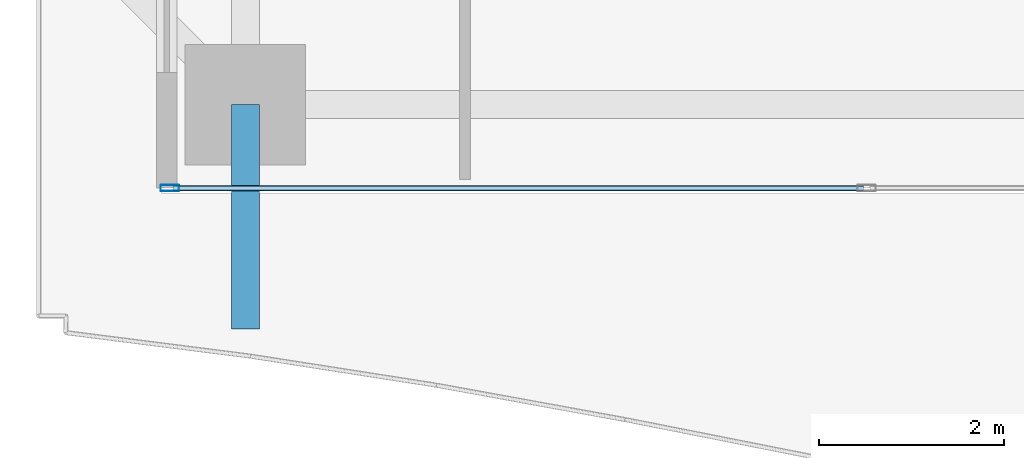
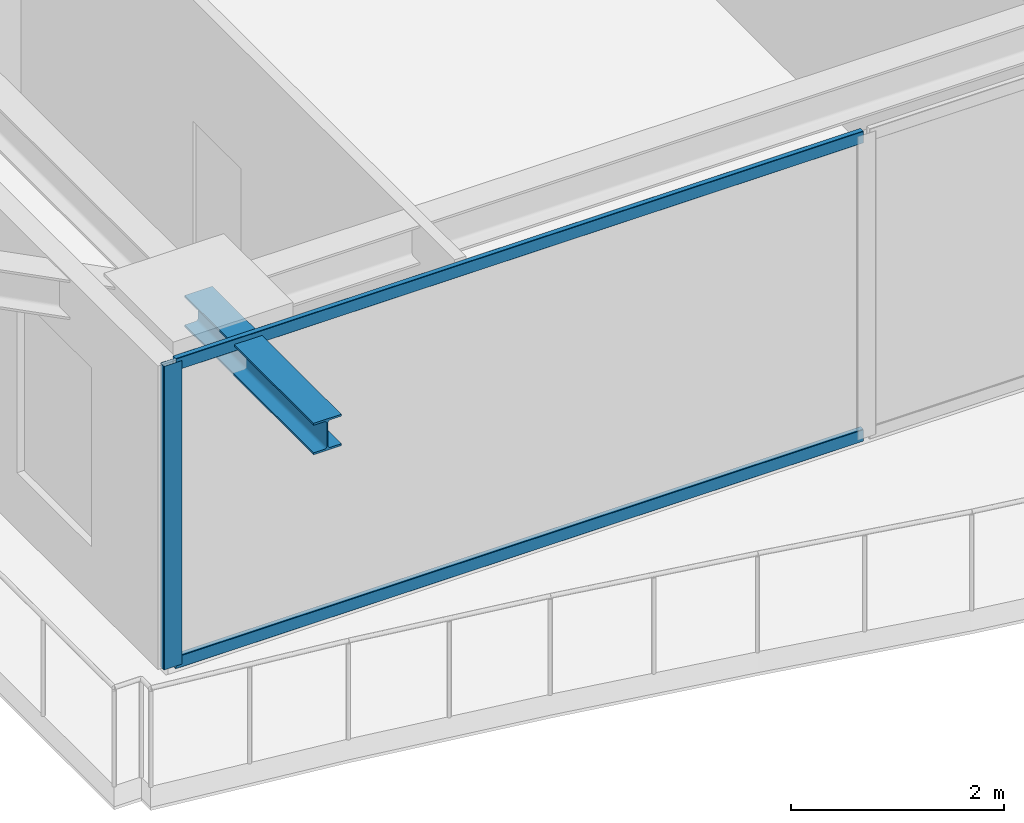
# One storey, part 2 of 35: 3 members, 1 beam, 1 element without a shape of its own.
"""IFC4 building model written with IfcOpenShell, lengths in metres."""

from ifc_helpers import new_model, si_unit, direction, frame, origin, origin_2d, place, context, subcontext, project, spatial, hollow_rectangle, i_section, extrude, source, transform, mapped, material, layer, layer_set, material_profile, profile_set, type_object, element, aggregate, save


model = new_model("IFC4")

# Units and contexts
model_context = context("Model", 3, precision=1e-05, world=origin(), true_north=direction((0.0, 1.0)))
body_context = subcontext(model_context, "Body", "Model", "MODEL_VIEW")
ifc_project = project(units=[si_unit("LENGTHUNIT", "METRE"), si_unit("AREAUNIT", "SQUARE_METRE"), si_unit("VOLUMEUNIT", "CUBIC_METRE"), si_unit("PLANEANGLEUNIT", "RADIAN"), si_unit("MASSUNIT", "GRAM", prefix="KILO")], contexts=[model_context])

# Site, building, storey
site_placement = place(None, origin())
site = spatial("IfcSite", under=ifc_project, at=site_placement, CompositionType="ELEMENT")
building_placement = place(site_placement, origin())
building = spatial("IfcBuilding", under=site, at=building_placement, Name="Serunith Strait Residences", CompositionType="ELEMENT")
storey_placement = place(building_placement, frame((0.0, 0.0, 172.64990234375)))
storey = spatial("IfcBuildingStorey", under=building, at=storey_placement, Name="L43", CompositionType="ELEMENT", Elevation=172.64990234375)

# Beam
ifc_material_1 = material(Name="Steel S355J2", Category="steel")
ifc_material_profile_1 = material_profile(ifc_material_1, i_section(OverallWidth=0.300048828125, OverallDepth=0.360107421875, WebThickness=0.012451171875, FlangeThickness=0.0224609375, FilletRadius=0.027099609375, at=origin_2d()), Name="HEB 360")
ifc_profile_set_1 = profile_set([ifc_material_profile_1], Name="Steel S355J2")
beam_type = type_object("IfcBeamType", Name="BM-HEB360", PredefinedType="BEAM", material=ifc_profile_set_1)
shared_shape_1 = source(origin(), body_context, "Body", "SweptSolid", [
    extrude(i_section(OverallWidth=0.300048828125, OverallDepth=0.360107421875, WebThickness=0.012451171875, FlangeThickness=0.0224609375, FilletRadius=0.027099609375, at=origin_2d()), origin(), (0.0, 0.0, 1.0), 2.41943359375),
])
beam_placement = place(storey_placement, frame((16.64990234375, 2.300048828125, 3.277099609375), z_axis=(0.0, -1.0, 0.0), x_axis=(1.0, 0.0, 0.0)))
element("IfcBeam", 1, at=beam_placement, inside=storey, type_object=beam_type, Name="L44 Cantilevered Balcony Rib TC-S1", PredefinedType="BEAM", context=body_context, shape_type="MappedRepresentation", body=[
    mapped(shared_shape_1, transform((0.0, 0.0, 0.0), scale=1.0)),
])

# Curtain wall, members
ifc_material_2 = material(Name="Pale-Champagne Anodised Aluminium", Category="aluminium")
ifc_layer = layer(ifc_material_2, 0.199951171875, Name="Pale-Champagne Anodised Aluminium")
ifc_layer_set = layer_set([ifc_layer], Name="Pale-Champagne Anodised Aluminium")
curtain_wall_type = type_object("IfcCurtainWallType", Name="CW-SYS2", PredefinedType="NOTDEFINED", material=ifc_layer_set)
curtain_wall_placement = place(storey_placement, origin())
curtain_wall = element("IfcCurtainWall", 2, at=curtain_wall_placement, inside=storey, type_object=curtain_wall_type, Name="L43 S Unitised Fritted Curtain Wall", PredefinedType="NOTDEFINED")
ifc_material_profile_2 = material_profile(ifc_material_2, hollow_rectangle(XDim=0.070068359375, YDim=0.199951171875, WallThickness=0.00390625, InnerFilletRadius=0.006103515625, OuterFilletRadius=0.010009765625, at=origin_2d()), Name="ALU 200x70x4")
ifc_profile_set_2 = profile_set([ifc_material_profile_2], Name="Pale-Champagne Anodised Aluminium")
member_type_1 = type_object("IfcMemberType", Name="CW-SYS2-MULL", PredefinedType="MULLION", material=ifc_profile_set_2)
shared_shape_2 = source(origin(), body_context, "Body", "SweptSolid", [
    extrude(hollow_rectangle(XDim=0.070068359375, YDim=0.199951171875, WallThickness=0.00390625, InnerFilletRadius=0.006103515625, OuterFilletRadius=0.010009765625, at=origin_2d()), origin(), (0.0, 0.0, 1.0), 3.47509765625),
])
member_1_placement = place(storey_placement, frame((15.8349609375, 1.39990234375, 0.0), z_axis=(0.0, 0.0, 1.0), x_axis=(0.0, 1.0, 0.0)))
member_1 = element("IfcMember", 3, at=member_1_placement, type_object=member_type_1, Name="CW-2 mullion 1", PredefinedType="MULLION", context=body_context, shape_type="MappedRepresentation", body=[
    mapped(shared_shape_2, transform((0.0, 0.0, 0.0), scale=1.0)),
])
ifc_material_profile_3 = material_profile(ifc_material_2, hollow_rectangle(XDim=0.06005859375, YDim=0.139892578125, WallThickness=0.00341796875, InnerFilletRadius=0.00537109375, OuterFilletRadius=0.0087890625, at=origin_2d()), Name="ALU 140x60x3.5")
ifc_profile_set_3 = profile_set([ifc_material_profile_3], Name="Pale-Champagne Anodised Aluminium")
member_type_2 = type_object("IfcMemberType", Name="CW-SYS2-TRAN", PredefinedType="USERDEFINED", material=ifc_profile_set_3)
shared_shape_3 = source(origin(), body_context, "Body", "SweptSolid", [
    extrude(hollow_rectangle(XDim=0.06005859375, YDim=0.139892578125, WallThickness=0.00341796875, InnerFilletRadius=0.00537109375, OuterFilletRadius=0.0087890625, at=origin_2d()), origin(), (0.0, 0.0, 1.0), 7.44482421875),
])
member_2_placement = place(storey_placement, frame((15.8701171875, 1.39990234375, 0.030029296875), z_axis=(1.0, 0.0, 0.0), x_axis=(0.0, 1.0, 0.0)))
member_2 = element("IfcMember", 4, at=member_2_placement, type_object=member_type_2, Name="CW-2 transom 1.1", ObjectType="TRANSOM", PredefinedType="USERDEFINED", context=body_context, shape_type="MappedRepresentation", body=[
    mapped(shared_shape_3, transform((0.0, 0.0, 0.0), scale=1.0)),
])
member_3_placement = place(storey_placement, frame((15.8701171875, 1.39990234375, 3.445068359375), z_axis=(1.0, 0.0, 0.0), x_axis=(0.0, 1.0, 0.0)))
member_3 = element("IfcMember", 5, at=member_3_placement, type_object=member_type_2, Name="CW-2 transom 1.2", ObjectType="TRANSOM", PredefinedType="USERDEFINED", context=body_context, shape_type="MappedRepresentation", body=[
    mapped(shared_shape_3, transform((0.0, 0.0, 0.0), scale=1.0)),
])
aggregate(curtain_wall, [member_1, member_2, member_3])

save(model, "model.ifc")
